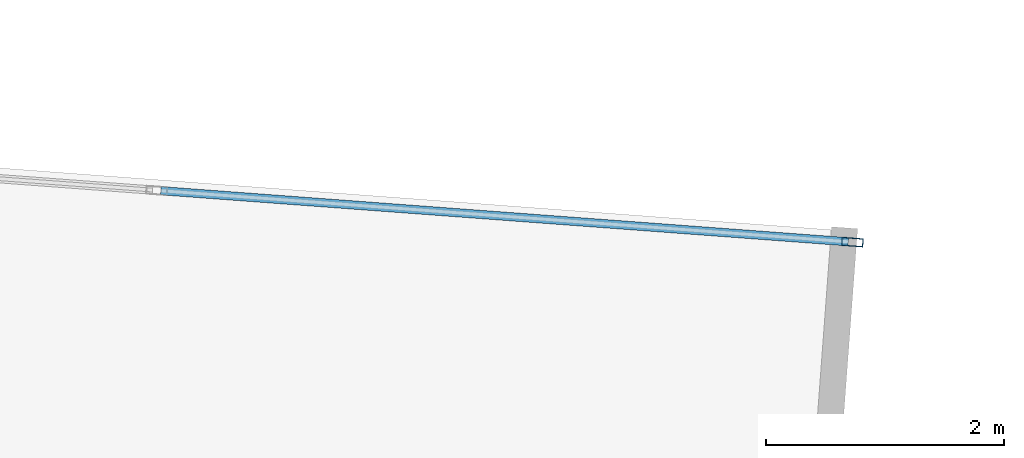
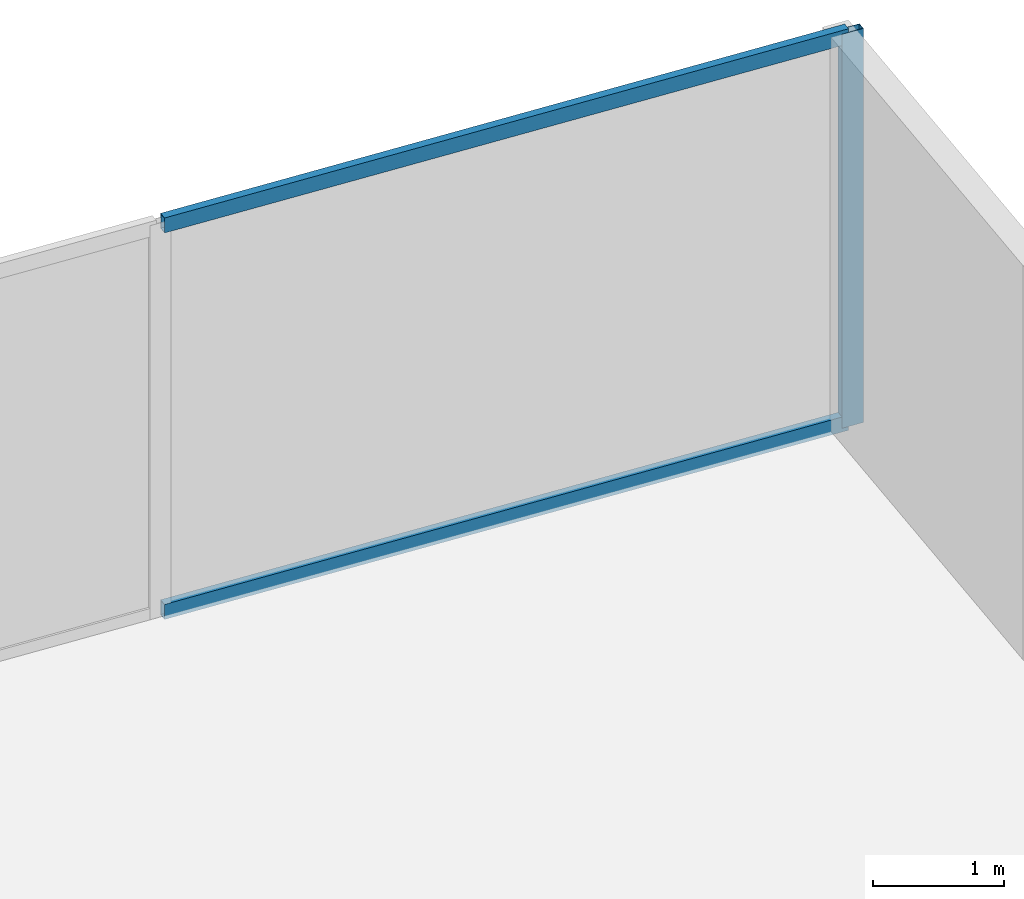
# One storey, part 24 of 30: 3 members, 1 element without a shape of its own.
"""IFC4 building model written with IfcOpenShell, lengths in metres."""

from ifc_helpers import new_model, si_unit, direction, frame, origin, origin_2d, place, context, subcontext, project, spatial, hollow_rectangle, extrude, source, transform, mapped, material, material_profile, profile_set, type_object, type_shapes, element, aggregate, save


model = new_model("IFC4")

# Units and contexts
model_context = context("Model", 3, precision=1e-05, world=origin(), true_north=direction((0.0, 1.0)))
body_context = subcontext(model_context, "Body", "Model", "MODEL_VIEW")
ifc_project = project(units=[si_unit("LENGTHUNIT", "METRE"), si_unit("AREAUNIT", "SQUARE_METRE"), si_unit("VOLUMEUNIT", "CUBIC_METRE"), si_unit("PLANEANGLEUNIT", "RADIAN"), si_unit("MASSUNIT", "GRAM", prefix="KILO")], contexts=[model_context])

# Site, building, storey
site_placement = place(None, origin())
site = spatial("IfcSite", under=ifc_project, at=site_placement, CompositionType="ELEMENT")
building_placement = place(site_placement, origin())
building = spatial("IfcBuilding", under=site, at=building_placement, Name="Krantzveldt Concourse Tower", CompositionType="ELEMENT")
storey_placement = place(building_placement, frame((0.0, 0.0, 48.699951171875)))
storey = spatial("IfcBuildingStorey", under=building, at=storey_placement, Name="L11", CompositionType="ELEMENT", Elevation=48.699951171875)

# Curtain wall, members
ifc_material = material(Name="Anodised aluminium 6063-T6", Category="aluminium")
curtain_wall_type = type_object("IfcCurtainWallType", Name="CW2", PredefinedType="USERDEFINED", material=ifc_material)
curtain_wall_placement = place(storey_placement, origin())
curtain_wall = element("IfcCurtainWall", 1, at=curtain_wall_placement, inside=storey, type_object=curtain_wall_type, Name="CW-L11-F10", ObjectType="UNITISED CURTAIN WALL", PredefinedType="USERDEFINED")
ifc_material_profile_1 = material_profile(ifc_material, hollow_rectangle(XDim=0.070068359375, YDim=0.179931640625, WallThickness=0.0048828125, at=origin_2d()), Name="Anodised aluminium 6063-T6", Category="aluminium")
ifc_profile_set_1 = profile_set([ifc_material_profile_1], Name="Anodised aluminium 6063-T6 - ALU-MULL 180x70x5")
member_type_1 = type_object("IfcMemberType", Name="CW-MUL-180", PredefinedType="MULLION", material=ifc_profile_set_1)
shared_shape_1 = source(origin(), body_context, "Body", "SweptSolid", [
    extrude(hollow_rectangle(XDim=0.070068359375, YDim=0.179931640625, WallThickness=0.0048828125, at=origin_2d()), origin(), (0.0, 0.0, 1.0), 3.670166015625),
])
type_shapes(member_type_1, [shared_shape_1])
member_1_placement = place(storey_placement, frame((59.251953125, 49.95068359375, 0.0), z_axis=(0.0, 0.0, 1.0), x_axis=(-0.074108467464, -0.997250186789, 0.0)))
member_1 = element("IfcMember", 2, at=member_1_placement, type_object=member_type_1, Name="CW-Z12 mullion 1", PredefinedType="MULLION", context=body_context, shape_type="MappedRepresentation", body=[
    mapped(shared_shape_1, transform((0.0, 0.0, 0.0), x_axis=(1.0, 0.0, 0.0), y_axis=(0.0, 1.0, 0.0), z_axis=(0.0, 0.0, 1.0), scale=1.0)),
])
ifc_material_profile_2 = material_profile(ifc_material, hollow_rectangle(XDim=0.070068359375, YDim=0.139892578125, WallThickness=0.0048828125, at=origin_2d()), Name="Anodised aluminium 6063-T6", Category="aluminium")
ifc_profile_set_2 = profile_set([ifc_material_profile_2], Name="Anodised aluminium 6063-T6 - ALU-TRAN 140x70x5")
member_type_2 = type_object("IfcMemberType", Name="CW-TRN-150", PredefinedType="USERDEFINED", material=ifc_profile_set_2)
shared_shape_2 = source(origin(), body_context, "Body", "SweptSolid", [
    extrude(hollow_rectangle(XDim=0.070068359375, YDim=0.139892578125, WallThickness=0.0048828125, at=origin_2d()), origin(), (0.0, 0.0, 1.0), 5.794921875),
])
type_shapes(member_type_2, [shared_shape_2])
member_2_placement = place(storey_placement, frame((59.217041015625, 49.953369140625, 0.03515625), z_axis=(-0.997250369291, 0.074106011558, 0.0), x_axis=(-0.074106011558, -0.997250369291, 0.0)))
member_2 = element("IfcMember", 3, at=member_2_placement, type_object=member_type_2, Name="CW-Z12 transom 1.1", ObjectType="TRANSOM", PredefinedType="USERDEFINED", context=body_context, shape_type="MappedRepresentation", body=[
    mapped(shared_shape_2, transform((0.0, 0.0, 0.0), x_axis=(1.0, 0.0, 0.0), y_axis=(0.0, 1.0, 0.0), z_axis=(0.0, 0.0, 1.0), scale=1.0)),
])
member_3_placement = place(storey_placement, frame((59.217041015625, 49.953369140625, 3.635009765625), z_axis=(-0.997250369291, 0.074106011558, 0.0), x_axis=(-0.074106011558, -0.997250369291, 0.0)))
member_3 = element("IfcMember", 4, at=member_3_placement, type_object=member_type_2, Name="CW-Z12 transom 1.2", ObjectType="TRANSOM", PredefinedType="USERDEFINED", context=body_context, shape_type="MappedRepresentation", body=[
    mapped(shared_shape_2, transform((0.0, 0.0, 0.0), x_axis=(1.0, 0.0, 0.0), y_axis=(0.0, 1.0, 0.0), z_axis=(0.0, 0.0, 1.0), scale=1.0)),
])
aggregate(curtain_wall, [member_1, member_2, member_3])

save(model, "model.ifc")
